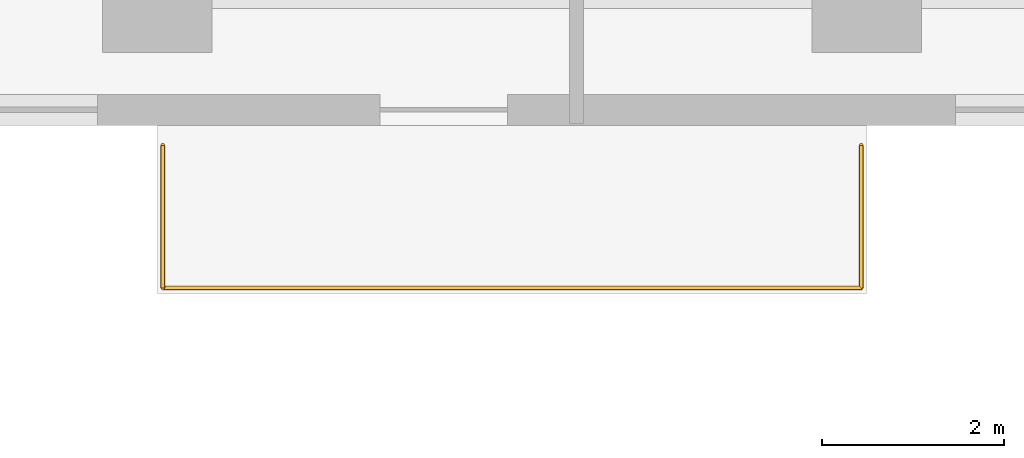
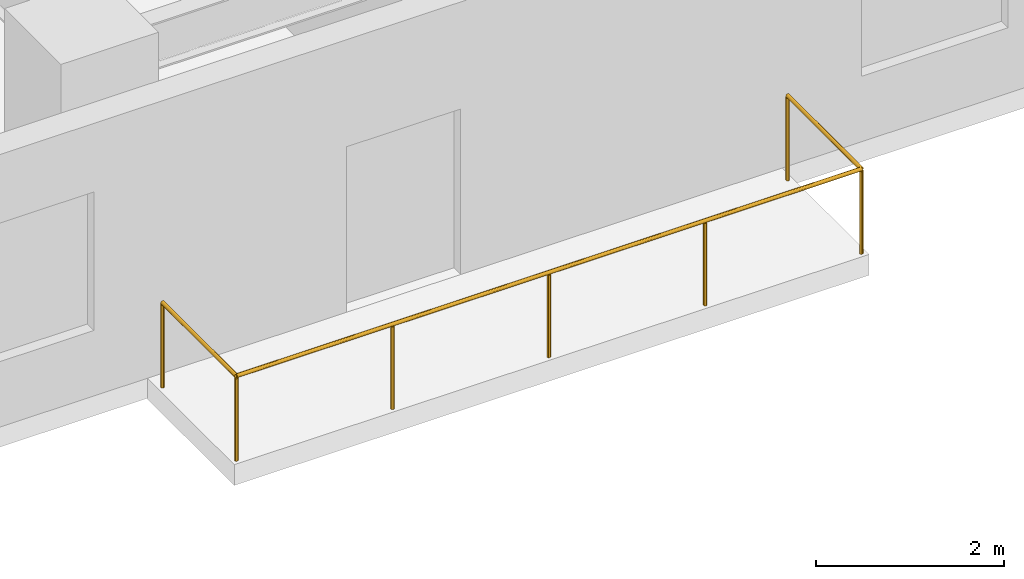
# One storey, part 11 of 12: 2 railings.
"""IFC4 building model written with IfcOpenShell, lengths in metres."""

from ifc_helpers import new_model, si_unit, direction, frame, origin, origin_2d, place, context, subcontext, project, spatial, circle, extrude, material, type_object, element, save


model = new_model("IFC4")

# Units and contexts
model_context = context("Model", 3, precision=1e-05, world=origin(), true_north=direction((0.0, 1.0)))
body_context = subcontext(model_context, "Body", "Model", "MODEL_VIEW")
ifc_project = project(units=[si_unit("LENGTHUNIT", "METRE"), si_unit("AREAUNIT", "SQUARE_METRE"), si_unit("VOLUMEUNIT", "CUBIC_METRE"), si_unit("PLANEANGLEUNIT", "RADIAN"), si_unit("MASSUNIT", "GRAM", prefix="KILO")], contexts=[model_context])

# Site, building, storey
site_placement = place(None, origin())
site = spatial("IfcSite", under=ifc_project, at=site_placement, CompositionType="ELEMENT")
building_placement = place(site_placement, origin())
building = spatial("IfcBuilding", under=site, at=building_placement, Name="Kestravale Grand Hotel", CompositionType="ELEMENT")
storey_placement = place(building_placement, frame((0.0, 0.0, 91.800048828125)))
storey = spatial("IfcBuildingStorey", under=building, at=storey_placement, Name="L22", CompositionType="ELEMENT", Elevation=91.800048828125)

# Railings
ifc_material = material(Name="Champagne-bronze stainless steel and laminated glass guard", Category="steel")
railing_type = type_object("IfcRailingType", Name="RL-EXT-1100", PredefinedType="GUARDRAIL", material=ifc_material)
railing_1_placement = place(storey_placement, frame((46.860107421875, 8.010009765625, 0.0)))
element("IfcRailing", 1, at=railing_1_placement, inside=storey, type_object=railing_type, Name="L22 outdoor terrace guard 1", PredefinedType="GUARDRAIL", context=body_context, shape_type="SweptSolid", body=[
    extrude(circle(Radius=0.02392578125, at=origin_2d()), frame((0.0, 0.0, 1.09619140625), z_axis=(0.0, 1.0, 0.0), x_axis=(-1.0, 0.0, 0.0)), (0.0, 0.0, 1.0), 1.570068359375),
    extrude(circle(Radius=0.02099609375, at=origin_2d()), origin(), (0.0, 0.0, 1.0), 1.072021484375),
    extrude(circle(Radius=0.02099609375, at=origin_2d()), frame((0.0, 1.570068359375, 0.0)), (0.0, 0.0, 1.0), 1.072021484375),
])
railing_2_placement = place(storey_placement, frame((54.5400390625, 9.580078125, 0.0)))
element("IfcRailing", 2, at=railing_2_placement, inside=storey, type_object=railing_type, Name="L22 outdoor terrace guard 2", PredefinedType="GUARDRAIL", context=body_context, shape_type="SweptSolid", body=[
    extrude(circle(Radius=0.02392578125, at=origin_2d()), frame((0.0, 0.0, 1.09619140625), z_axis=(0.0, -1.0, 0.0), x_axis=(1.0, 0.0, 0.0)), (0.0, 0.0, 1.0), 1.570068359375),
    extrude(circle(Radius=0.02392578125, at=origin_2d()), frame((0.0, -1.570068359375, 1.09619140625), z_axis=(-1.0, 0.0, 0.0), x_axis=(0.0, -1.0, 0.0)), (0.0, 0.0, 1.0), 7.679931640625),
    extrude(circle(Radius=0.02099609375, at=origin_2d()), origin(), (0.0, 0.0, 1.0), 1.072021484375),
    extrude(circle(Radius=0.02099609375, at=origin_2d()), frame((0.0, -1.570068359375, 0.0)), (0.0, 0.0, 1.0), 1.072021484375),
    extrude(circle(Radius=0.02099609375, at=origin_2d()), frame((-1.919921875, -1.570068359375, 0.0)), (0.0, 0.0, 1.0), 1.072021484375),
    extrude(circle(Radius=0.02099609375, at=origin_2d()), frame((-3.83984375, -1.570068359375, 0.0)), (0.0, 0.0, 1.0), 1.072021484375),
    extrude(circle(Radius=0.02099609375, at=origin_2d()), frame((-5.760009765625, -1.570068359375, 0.0)), (0.0, 0.0, 1.0), 1.072021484375),
    extrude(circle(Radius=0.02099609375, at=origin_2d()), frame((-7.679931640625, -1.570068359375, 0.0)), (0.0, 0.0, 1.0), 1.072021484375),
])

save(model, "model.ifc")
